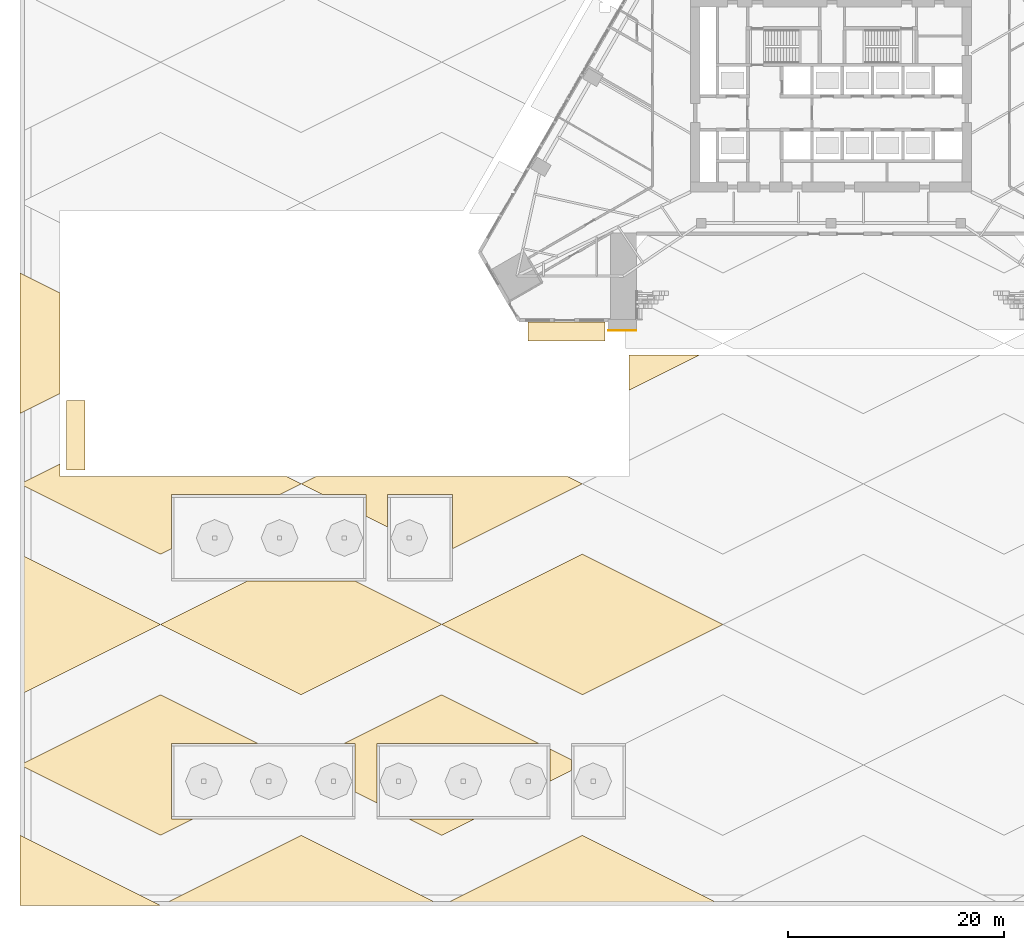
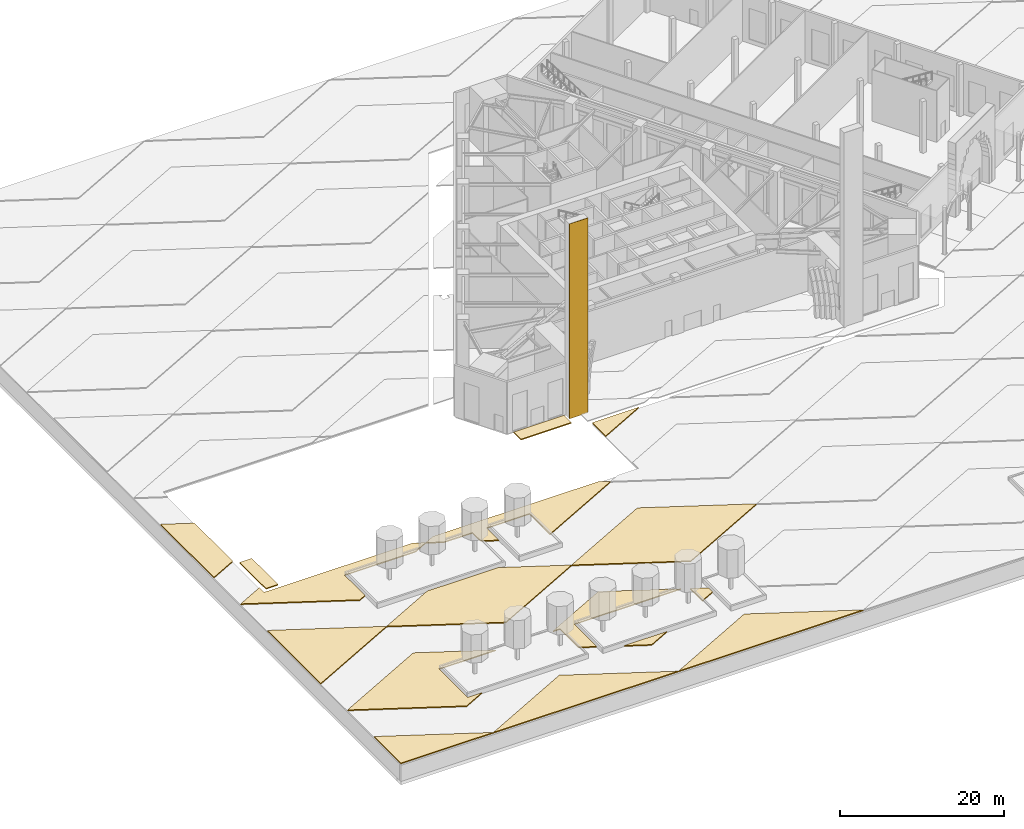
# One storey, part 22 of 34: 17 coverings.
"""IFC4 building model written with IfcOpenShell, lengths in metres."""

from ifc_helpers import new_model, si_unit, direction, frame, origin, place, context, subcontext, project, spatial, polyline, outline, extrude, material, layer, layer_set, type_object, element, save


model = new_model("IFC4")

# Units and contexts
model_context = context("Model", 3, precision=1e-05, world=origin(), true_north=direction((0.0, 1.0)))
body_context = subcontext(model_context, "Body", "Model", "MODEL_VIEW")
ifc_project = project(units=[si_unit("LENGTHUNIT", "METRE"), si_unit("AREAUNIT", "SQUARE_METRE"), si_unit("VOLUMEUNIT", "CUBIC_METRE"), si_unit("PLANEANGLEUNIT", "RADIAN"), si_unit("MASSUNIT", "GRAM", prefix="KILO")], contexts=[model_context])

# Site, building, storey
site_placement = place(None, origin())
site = spatial("IfcSite", under=ifc_project, at=site_placement, CompositionType="ELEMENT")
building_placement = place(site_placement, origin())
building = spatial("IfcBuilding", under=site, at=building_placement, Name="Firuza Gate Tower and Library", CompositionType="ELEMENT")
storey_placement = place(building_placement, origin())
storey = spatial("IfcBuildingStorey", under=building, at=storey_placement, Name="L00", CompositionType="ELEMENT", Elevation=0.0)

# Coverings
ifc_material_1 = material(Name="Ceramic paving, deep blue")
ifc_layer_1 = layer(ifc_material_1, 0.14990234375)
ifc_layer_set_1 = layer_set([ifc_layer_1], Name="Cobalt ceramic paving 150")
covering_type_1 = type_object("IfcCoveringType", Name="Cobalt ceramic paving 150", PredefinedType="FLOORING", material=ifc_layer_set_1)
placement = place(storey_placement, frame((0.0, 0.0, -0.14990234375)))
element("IfcCovering", 1, at=placement, inside=storey, type_object=covering_type_1, Name="Plaza paving", PredefinedType="FLOORING", context=body_context, shape_type="SweptSolid", body=[
    extrude(outline(polyline([(52.0, 6.5), (65.0, 0.0), (39.0, 0.0), (52.0, 6.5)])), origin(), (0.0, 0.0, 1.0), 0.14990234375),
])
element("IfcCovering", 2, at=placement, inside=storey, type_object=covering_type_1, Name="Plaza paving", PredefinedType="FLOORING", context=body_context, shape_type="SweptSolid", body=[
    extrude(outline(polyline([(13.0, 6.5), (0.0, 13.0), (13.0, 19.5), (22.0, 15.0), (14.0, 15.0), (14.0, 8.0), (16.0, 8.0), (13.0, 6.5)])), origin(), (0.0, 0.0, 1.0), 0.14990234375),
])
element("IfcCovering", 3, at=placement, inside=storey, type_object=covering_type_1, Name="Plaza paving", PredefinedType="FLOORING", context=body_context, shape_type="SweptSolid", body=[
    extrude(outline(polyline([(39.0, 26.0), (26.0, 19.5), (13.0, 26.0), (21.0, 30.0), (31.0, 30.0), (39.0, 26.0)])), origin(), (0.0, 0.0, 1.0), 0.14990234375),
])
element("IfcCovering", 4, at=placement, inside=storey, type_object=covering_type_1, Name="Plaza paving", PredefinedType="FLOORING", context=body_context, shape_type="SweptSolid", body=[
    extrude(outline(polyline([(0.0, 45.5), (0.0, 58.5), (3.699951171875, 56.64990234375), (3.699951171875, 47.35009765625), (0.0, 45.5)])), origin(), (0.0, 0.0, 1.0), 0.14990234375),
])
ifc_material_2 = material(Name="Glazed ceramic tile, cobalt")
ifc_layer_2 = layer(ifc_material_2, 0.0400390625)
ifc_layer_set_2 = layer_set([ifc_layer_2], Name="Cobalt glazed tile cladding 40")
covering_type_2 = type_object("IfcCoveringType", Name="Cobalt glazed tile cladding 40", PredefinedType="CLADDING", material=ifc_layer_set_2)
covering_5_placement = place(storey_placement, frame((54.3798828125, 53.17529296875, -0.14990234375), z_axis=(0.0, -1.0, 0.0), x_axis=(1.0, 0.0, 0.0)))
element("IfcCovering", 5, at=covering_5_placement, inside=storey, type_object=covering_type_2, Name="Pishtaq tile", PredefinedType="CLADDING", context=body_context, shape_type="SweptSolid", body=[
    extrude(outline(polyline([(0.0, 0.0), (2.6201171875, 0.0), (2.6201171875, 28.949951171875), (0.0, 28.949951171875), (0.0, 0.0)])), origin(), (0.0, 0.0, -1.0), 0.0400390625),
])
ifc_material_3 = material(Name="Sandstone paving", Category="masonry")
ifc_layer_3 = layer(ifc_material_3, 0.14990234375)
ifc_layer_set_3 = layer_set([ifc_layer_3], Name="Sandstone paving 150")
covering_type_3 = type_object("IfcCoveringType", Name="Sandstone paving 150", PredefinedType="FLOORING", material=ifc_layer_set_3)
element("IfcCovering", 6, at=placement, inside=storey, type_object=covering_type_3, Name="Plaza paving", PredefinedType="FLOORING", context=body_context, shape_type="SweptSolid", body=[
    extrude(outline(polyline([(47.0, 52.199951171875), (54.10009765625, 52.199951171875), (54.10009765625, 53.969970703125), (47.0, 53.969970703125), (47.0, 52.199951171875)])), origin(), (0.0, 0.0, 1.0), 0.14990234375),
])
element("IfcCovering", 7, at=placement, inside=storey, type_object=covering_type_3, Name="Plaza paving", PredefinedType="FLOORING", context=body_context, shape_type="SweptSolid", body=[
    extrude(outline(polyline([(4.300048828125, 40.300048828125), (6.0, 40.300048828125), (6.0, 46.699951171875), (4.300048828125, 46.699951171875), (4.300048828125, 40.300048828125)])), origin(), (0.0, 0.0, 1.0), 0.14990234375),
])
element("IfcCovering", 8, at=placement, inside=storey, type_object=covering_type_3, Name="Plaza paving", PredefinedType="FLOORING", context=body_context, shape_type="SweptSolid", body=[
    extrude(outline(polyline([(13.0, 0.0), (0.0, 0.0), (0.0, 6.5), (13.0, 0.0)])), origin(), (0.0, 0.0, 1.0), 0.14990234375),
])
element("IfcCovering", 9, at=placement, inside=storey, type_object=covering_type_3, Name="Plaza paving", PredefinedType="FLOORING", context=body_context, shape_type="SweptSolid", body=[
    extrude(outline(polyline([(31.0, 10.5), (31.0, 15.0), (30.0, 15.0), (39.0, 19.5), (48.0, 15.0), (33.0, 15.0), (33.0, 9.5), (31.0, 10.5)])), origin(), (0.0, 0.0, 1.0), 0.14990234375),
])
element("IfcCovering", 10, at=placement, inside=storey, type_object=covering_type_3, Name="Plaza paving", PredefinedType="FLOORING", context=body_context, shape_type="SweptSolid", body=[
    extrude(outline(polyline([(39.0, 6.5), (36.0, 8.0), (42.0, 8.0), (39.0, 6.5)])), origin(), (0.0, 0.0, 1.0), 0.14990234375),
])
element("IfcCovering", 11, at=placement, inside=storey, type_object=covering_type_3, Name="Plaza paving", PredefinedType="FLOORING", context=body_context, shape_type="SweptSolid", body=[
    extrude(outline(polyline([(49.0, 11.5), (49.0, 14.5), (51.0, 13.5), (51.0, 12.5), (49.0, 11.5)])), origin(), (0.0, 0.0, 1.0), 0.14990234375),
])
element("IfcCovering", 12, at=placement, inside=storey, type_object=covering_type_3, Name="Plaza paving", PredefinedType="FLOORING", context=body_context, shape_type="SweptSolid", body=[
    extrude(outline(polyline([(52.0, 32.5), (65.0, 26.0), (52.0, 19.5), (39.0, 26.0), (52.0, 32.5)])), origin(), (0.0, 0.0, 1.0), 0.14990234375),
])
element("IfcCovering", 13, at=placement, inside=storey, type_object=covering_type_3, Name="Plaza paving", PredefinedType="FLOORING", context=body_context, shape_type="SweptSolid", body=[
    extrude(outline(polyline([(13.0, 32.5), (0.0, 39.0), (3.699951171875, 40.85009765625), (3.699951171875, 39.699951171875), (24.60009765625, 39.699951171875), (26.0, 39.0), (24.0, 38.0), (14.0, 38.0), (14.0, 33.0), (13.0, 32.5)])), origin(), (0.0, 0.0, 1.0), 0.14990234375),
])
ifc_material_4 = material(Name="Ceramic paving, turquoise")
ifc_layer_4 = layer(ifc_material_4, 0.14990234375)
ifc_layer_set_4 = layer_set([ifc_layer_4], Name="Turquoise ceramic paving 150")
covering_type_4 = type_object("IfcCoveringType", Name="Turquoise ceramic paving 150", PredefinedType="FLOORING", material=ifc_layer_set_4)
element("IfcCovering", 14, at=placement, inside=storey, type_object=covering_type_4, Name="Plaza paving", PredefinedType="FLOORING", context=body_context, shape_type="SweptSolid", body=[
    extrude(outline(polyline([(26.0, 6.5), (39.0, 0.0), (13.0, 0.0), (26.0, 6.5)])), origin(), (0.0, 0.0, 1.0), 0.14990234375),
])
element("IfcCovering", 15, at=placement, inside=storey, type_object=covering_type_4, Name="Plaza paving", PredefinedType="FLOORING", context=body_context, shape_type="SweptSolid", body=[
    extrude(outline(polyline([(13.0, 26.0), (0.0, 19.5), (0.0, 32.5), (13.0, 26.0)])), origin(), (0.0, 0.0, 1.0), 0.14990234375),
])
element("IfcCovering", 16, at=placement, inside=storey, type_object=covering_type_4, Name="Plaza paving", PredefinedType="FLOORING", context=body_context, shape_type="SweptSolid", body=[
    extrude(outline(polyline([(26.0, 39.0), (27.39990234375, 39.699951171875), (50.60009765625, 39.699951171875), (52.0, 39.0), (40.0, 33.0), (40.0, 38.0), (34.0, 38.0), (34.0, 35.0), (32.0, 36.0), (32.0, 38.0), (28.0, 38.0), (26.0, 39.0)])), origin(), (0.0, 0.0, 1.0), 0.14990234375),
])
element("IfcCovering", 17, at=placement, inside=storey, type_object=covering_type_4, Name="Plaza paving", PredefinedType="FLOORING", context=body_context, shape_type="SweptSolid", body=[
    extrude(outline(polyline([(56.300048828125, 47.64990234375), (56.300048828125, 50.915283203125), (62.830810546875, 50.915283203125), (56.300048828125, 47.64990234375)])), origin(), (0.0, 0.0, 1.0), 0.14990234375),
])

save(model, "model.ifc")
